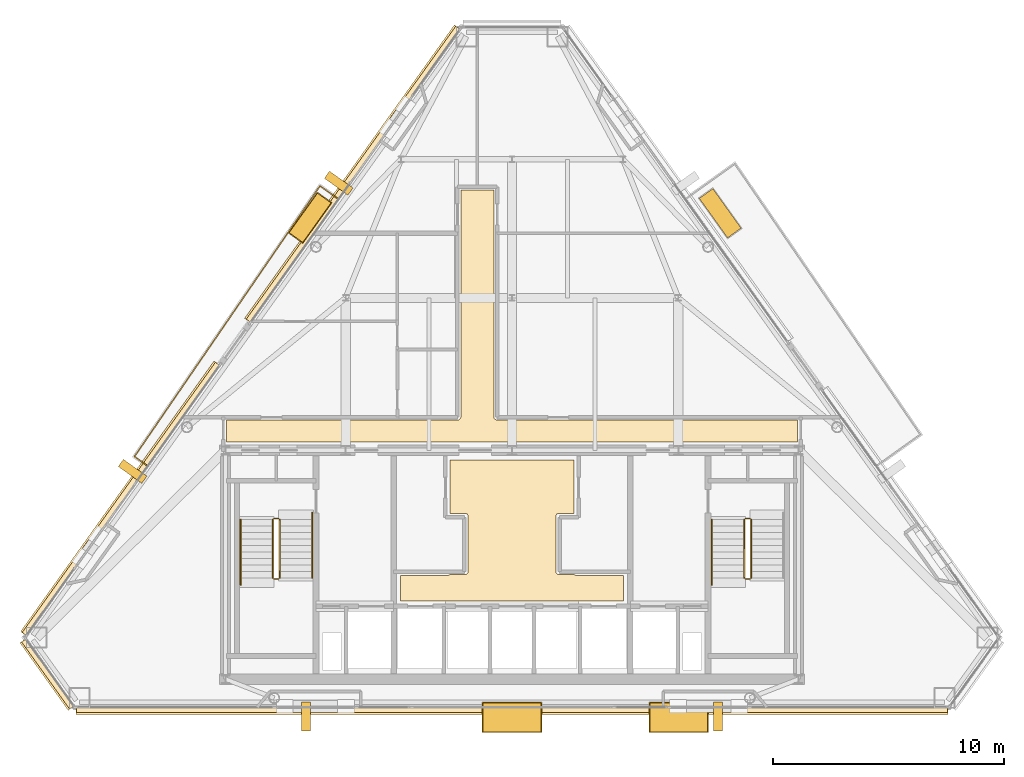
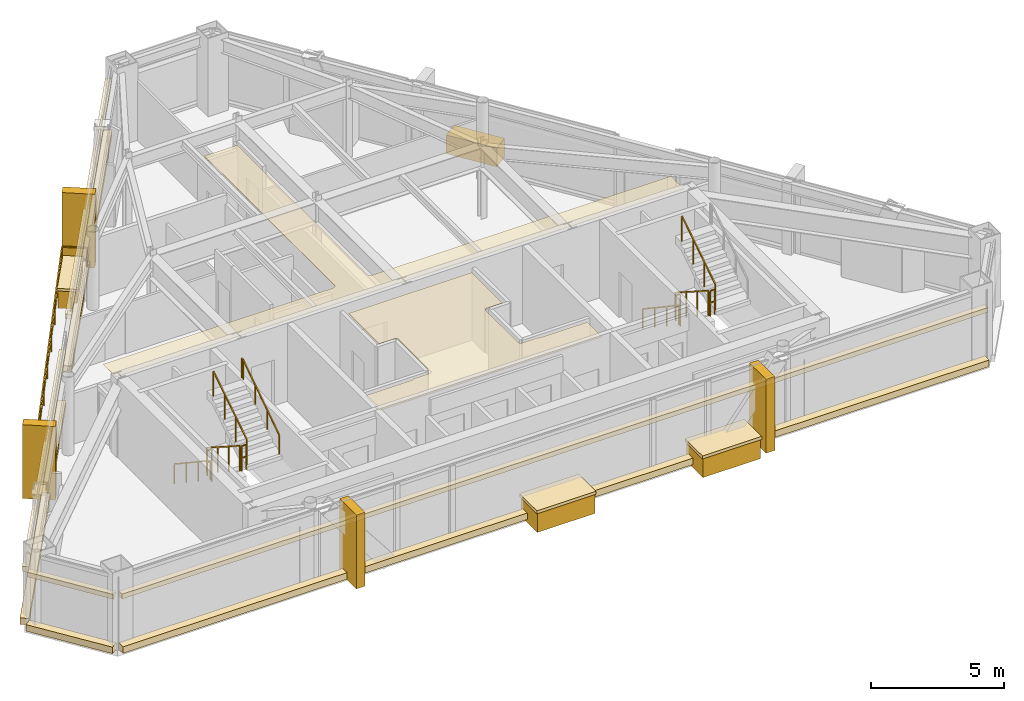
# One storey, part 11 of 12: 21 coverings, 12 railings.
"""IFC4 building model written with IfcOpenShell, lengths in metres."""

from ifc_helpers import new_model, si_unit, direction, frame, origin, origin_2d, place, context, subcontext, project, spatial, polyline, rectangle, outline, extrude, material, layer, layer_set, type_object, element, save


model = new_model("IFC4")

# Units and contexts
model_context = context("Model", 3, precision=1e-05, world=origin(), true_north=direction((0.0, 1.0)))
body_context = subcontext(model_context, "Body", "Model", "MODEL_VIEW")
ifc_project = project(units=[si_unit("LENGTHUNIT", "METRE"), si_unit("AREAUNIT", "SQUARE_METRE"), si_unit("VOLUMEUNIT", "CUBIC_METRE"), si_unit("PLANEANGLEUNIT", "RADIAN"), si_unit("MASSUNIT", "GRAM", prefix="KILO")], contexts=[model_context])

# Site, building, storey
site_placement = place(None, origin())
site = spatial("IfcSite", under=ifc_project, at=site_placement, CompositionType="ELEMENT")
building_placement = place(site_placement, origin())
building = spatial("IfcBuilding", under=site, at=building_placement, Name="Talgorran Terracotta Tower", CompositionType="ELEMENT")
storey_placement = place(building_placement, frame((0.0, 0.0, 270.60009765625)))
storey = spatial("IfcBuildingStorey", under=building, at=storey_placement, Name="L71", CompositionType="ELEMENT", Elevation=270.60009765625)

# Coverings
ifc_material_1 = material(Name="Kiln-Fired Terracotta Ochre Ceramic", Category="masonry")
ifc_layer_1 = layer(ifc_material_1, 0.179931640625, Name="COV_BAGUETTE_TERRACOTTA_SCREEN")
ifc_layer_set_1 = layer_set([ifc_layer_1], Name="Kiln-Fired Terracotta Ochre Ceramic")
covering_type_1 = type_object("IfcCoveringType", Name="COV_BAGUETTE_TERRACOTTA_SCREEN", PredefinedType="CLADDING", material=ifc_layer_set_1)
covering_1_placement = place(storey_placement, frame((-20.07958984375, -13.869384765625, 2.41015625), z_axis=(0.0, 0.0, 1.0), x_axis=(0.58173974083, -0.813374989743, 0.0)))
element("IfcCovering", 1, at=covering_1_placement, inside=storey, type_object=covering_type_1, Name="L71 Terracotta Baguette Solar Screen Assembly F0", PredefinedType="CLADDING", context=body_context, shape_type="SweptSolid", body=[
    extrude(rectangle(XDim=3.5673828125, YDim=0.260009765625, at=origin_2d()), origin(), (0.0, 0.0, 1.0), 0.219970703125),
])
covering_2_placement = place(storey_placement, frame((0.0, -15.4189453125, 2.41015625), z_axis=(0.0, 0.0, 1.0), x_axis=(1.0, 0.0, 0.0)))
element("IfcCovering", 2, at=covering_2_placement, inside=storey, type_object=covering_type_1, Name="L71 Terracotta Baguette Solar Screen Assembly F1", PredefinedType="CLADDING", context=body_context, shape_type="SweptSolid", body=[
    extrude(rectangle(XDim=37.699951171875, YDim=0.260009765625, at=origin_2d()), origin(), (0.0, 0.0, 1.0), 0.219970703125),
])
covering_3_placement = place(storey_placement, frame((-6.861083984375, 7.744873046875, 2.41015625), z_axis=(0.0, 0.0, 1.0), x_axis=(-0.58172554467, -0.813385142893, 0.0)))
element("IfcCovering", 3, at=covering_3_placement, inside=storey, type_object=covering_type_1, Name="L71 Terracotta Baguette Solar Screen Assembly F60", PredefinedType="CLADDING", context=body_context, shape_type="SweptSolid", body=[
    extrude(rectangle(XDim=15.5908203125, YDim=0.260009765625, at=origin_2d()), origin(), (0.0, 0.0, 1.0), 0.219970703125),
])
covering_4_placement = place(storey_placement, frame((-16.913818359375, -6.311279296875, 2.41015625), z_axis=(0.0, 0.0, 1.0), x_axis=(-0.58172554467, -0.813385142893, 0.0)))
element("IfcCovering", 4, at=covering_4_placement, inside=storey, type_object=covering_type_1, Name="L71 Terracotta Baguette Solar Screen Assembly F61", PredefinedType="CLADDING", context=body_context, shape_type="SweptSolid", body=[
    extrude(rectangle(XDim=14.37109375, YDim=0.260009765625, at=origin_2d()), origin(), (0.0, 0.0, 1.0), 0.219970703125),
])
ifc_material_2 = material(Name="Mineral Fibre Acoustic Tile")
ifc_layer_2 = layer(ifc_material_2, 0.02490234375, Name="COV_CEIL_ACOUSTIC")
ifc_layer_set_2 = layer_set([ifc_layer_2], Name="Mineral Fibre Acoustic Tile")
covering_type_2 = type_object("IfcCoveringType", Name="COV_CEIL_ACOUSTIC", PredefinedType="CEILING", material=ifc_layer_set_2)
covering_5_placement = place(storey_placement, frame((0.0, 0.0, 3.2548828125)))
element("IfcCovering", 5, at=covering_5_placement, inside=storey, type_object=covering_type_2, Name="CEIL-L71-2", PredefinedType="CEILING", context=body_context, shape_type="SweptSolid", body=[
    extrude(outline(polyline([(-12.364990234375, -2.885009765625), (-2.35009765625, -2.885009765625), (-2.33837890625, -2.884521484375), (-2.32666015625, -2.8828125), (-2.3154296875, -2.8798828125), (-2.30712890625, -2.87744140625), (-2.2958984375, -2.87353515625), (-2.285400390625, -2.868408203125), (-2.275146484375, -2.8623046875), (-2.265625, -2.85546875), (-2.257080078125, -2.847412109375), (-2.2490234375, -2.8388671875), (-2.243408203125, -2.83203125), (-2.236328125, -2.822509765625), (-2.230224609375, -2.8125), (-2.225341796875, -2.8017578125), (-2.22119140625, -2.79052734375), (-2.218505859375, -2.779296875), (-2.216796875, -2.767578125), (-2.216064453125, -2.755615234375), (-2.215087890625, 7.06494140625), (-0.784912109375, 7.06494140625), (-0.784912109375, -2.75), (-0.784423828125, -2.76171875), (-0.78271484375, -2.773193359375), (-0.77978515625, -2.78466796875), (-0.77734375, -2.79296875), (-0.7734375, -2.803955078125), (-0.768310546875, -2.814697265625), (-0.762451171875, -2.82470703125), (-0.75537109375, -2.834228515625), (-0.74755859375, -2.843017578125), (-0.73876953125, -2.850830078125), (-0.73193359375, -2.8564453125), (-0.722412109375, -2.863525390625), (-0.71240234375, -2.86962890625), (-0.70166015625, -2.874755859375), (-0.690673828125, -2.878662109375), (-0.67919921875, -2.881591796875), (-0.66748046875, -2.88330078125), (-0.65576171875, -2.8837890625), (12.364990234375, -2.885009765625), (12.364990234375, -3.844970703125), (7.432861328125, -3.844970703125), (6.968017578125, -3.843017578125), (6.967529296875, -3.843017578125), (0.232666015625, -3.844970703125), (-0.23193359375, -3.843017578125), (-0.232421875, -3.843017578125), (-6.96728515625, -3.844970703125), (-7.431884765625, -3.843017578125), (-7.4326171875, -3.843017578125), (-12.364990234375, -3.844970703125), (-12.364990234375, -2.885009765625)])), origin(), (0.0, 0.0, 1.0), 0.02001953125),
])
ifc_material_3 = material(Name="Flush Moisture-Resistant Plaster")
ifc_layer_3 = layer(ifc_material_3, 0.01806640625, Name="COV_CEIL_PLASTER")
ifc_layer_set_3 = layer_set([ifc_layer_3], Name="Flush Moisture-Resistant Plaster")
covering_type_3 = type_object("IfcCoveringType", Name="COV_CEIL_PLASTER", PredefinedType="CEILING", material=ifc_layer_set_3)
covering_6_placement = place(storey_placement, frame((0.0, 0.0, 3.2548828125)))
element("IfcCovering", 6, at=covering_6_placement, inside=storey, type_object=covering_type_3, Name="CEIL-L71-1", PredefinedType="CEILING", context=body_context, shape_type="SweptSolid", body=[
    extrude(outline(polyline([(-2.70263671875, -9.570068359375), (-2.02001953125, -9.570068359375), (-2.00830078125, -9.5693359375), (-1.99658203125, -9.567626953125), (-1.985107421875, -9.564697265625), (-1.97412109375, -9.560791015625), (-1.96337890625, -9.555908203125), (-1.953369140625, -9.5498046875), (-1.94384765625, -9.542724609375), (-1.93505859375, -9.534912109375), (-1.92724609375, -9.526123046875), (-1.920166015625, -9.5166015625), (-1.914306640625, -9.506591796875), (-1.9091796875, -9.495849609375), (-1.9052734375, -9.48486328125), (-1.90234375, -9.473388671875), (-1.900634765625, -9.4619140625), (-1.89990234375, -9.449951171875), (-1.89990234375, -7.050048828125), (-1.900634765625, -7.0380859375), (-1.90234375, -7.026611328125), (-1.9052734375, -7.01513671875), (-1.9091796875, -7.004150390625), (-1.914306640625, -6.993408203125), (-1.920166015625, -6.9833984375), (-1.92724609375, -6.973876953125), (-1.93505859375, -6.965087890625), (-1.94384765625, -6.957275390625), (-1.953369140625, -6.9501953125), (-1.96337890625, -6.944091796875), (-1.97412109375, -6.939208984375), (-1.985107421875, -6.935302734375), (-1.99658203125, -6.932373046875), (-2.00830078125, -6.9306640625), (-2.02001953125, -6.929931640625), (-2.679931640625, -6.929931640625), (-2.679931640625, -4.6201171875), (2.679931640625, -4.6201171875), (2.679931640625, -6.929931640625), (2.02001953125, -6.929931640625), (2.00830078125, -6.9306640625), (1.99658203125, -6.932373046875), (1.985107421875, -6.935302734375), (1.97412109375, -6.939208984375), (1.96337890625, -6.944091796875), (1.953369140625, -6.9501953125), (1.94384765625, -6.957275390625), (1.93505859375, -6.965087890625), (1.92724609375, -6.973876953125), (1.920166015625, -6.9833984375), (1.914306640625, -6.993408203125), (1.9091796875, -7.004150390625), (1.9052734375, -7.01513671875), (1.90234375, -7.026611328125), (1.900634765625, -7.0380859375), (1.89990234375, -7.050048828125), (1.89990234375, -9.449951171875), (1.900634765625, -9.4619140625), (1.90234375, -9.473388671875), (1.9052734375, -9.48486328125), (1.9091796875, -9.495849609375), (1.914306640625, -9.506591796875), (1.920166015625, -9.5166015625), (1.92724609375, -9.526123046875), (1.93505859375, -9.534912109375), (1.94384765625, -9.542724609375), (1.953369140625, -9.5498046875), (1.96337890625, -9.555908203125), (1.97412109375, -9.560791015625), (1.985107421875, -9.564697265625), (1.99658203125, -9.567626953125), (2.00830078125, -9.5693359375), (2.02001953125, -9.570068359375), (2.70263671875, -9.570068359375), (2.707275390625, -9.576171875), (2.715087890625, -9.5849609375), (2.723876953125, -9.5927734375), (2.7333984375, -9.599853515625), (2.743408203125, -9.605712890625), (2.754150390625, -9.61083984375), (2.76513671875, -9.61474609375), (2.776611328125, -9.61767578125), (2.7880859375, -9.619384765625), (2.800048828125, -9.6201171875), (4.830078125, -9.6201171875), (4.830078125, -10.72998046875), (-4.830078125, -10.72998046875), (-4.830078125, -9.6201171875), (-2.800048828125, -9.6201171875), (-2.7880859375, -9.619384765625), (-2.776611328125, -9.61767578125), (-2.76513671875, -9.61474609375), (-2.754150390625, -9.61083984375), (-2.743408203125, -9.605712890625), (-2.7333984375, -9.599853515625), (-2.723876953125, -9.5927734375), (-2.715087890625, -9.5849609375), (-2.707275390625, -9.576171875), (-2.70263671875, -9.570068359375)])), origin(), (0.0, 0.0, 1.0), 0.02001953125),
])
ifc_material_4 = material(Name="Honed Limestone and Terracotta Planter", Category="masonry")
ifc_layer_4 = layer(ifc_material_4, 0.1201171875, Name="COV_PLANTER_BOX")
ifc_layer_set_4 = layer_set([ifc_layer_4], Name="Honed Limestone and Terracotta Planter")
covering_type_4 = type_object("IfcCoveringType", Name="COV_PLANTER_BOX", PredefinedType="CLADDING", material=ifc_layer_set_4)
for number, where, z_axis, x_axis, name in (
    (7, (0.0, -15.7587890625, -0.18017578125), (0.0, 0.0, 1.0), (1.0, 0.0, 0.0), "L71 Staggered South Facade Planter Box 1"),
    (8, (7.212890625, -15.7587890625, -0.18017578125), (0.0, 0.0, 1.0), (1.0, 0.0, 0.0), "L71 Staggered South Facade Planter Box 2"),
):
    element("IfcCovering", number, at=place(storey_placement, frame(where, z_axis=z_axis, x_axis=x_axis)), inside=storey, type_object=covering_type_4, Name=name, PredefinedType="CLADDING", context=body_context, shape_type="SweptSolid", body=[
        extrude(rectangle(XDim=2.5, YDim=1.25, at=origin_2d()), origin(), (0.0, 0.0, 1.0), 0.919921875),
    ])
for number, where, z_axis, x_axis, name in (
    (9, (9.010986328125, 6.0625, -0.02001953125), (0.0, 0.0, 1.0), (-0.58172554467, 0.813385142893, 0.0), "L71 Staggered Balcony Planter Box BAL-NE"),
    (10, (-8.73828125, 5.867431640625, -0.02001953125), (0.0, 0.0, 1.0), (-0.58172554467, -0.813385142893, 0.0), "L71 Staggered Balcony Planter Box BAL-NW"),
):
    element("IfcCovering", number, at=place(storey_placement, frame(where, z_axis=z_axis, x_axis=x_axis)), inside=storey, type_object=covering_type_4, Name=name, PredefinedType="CLADDING", context=body_context, shape_type="SweptSolid", body=[
        extrude(rectangle(XDim=2.10009765625, YDim=0.719970703125, at=origin_2d()), origin(), (0.0, 0.0, 1.0), 0.860107421875),
    ])
ifc_material_5 = material(Name="Kiln-Fired Terracotta Planter Rim", Category="masonry")
ifc_layer_5 = layer(ifc_material_5, 0.10009765625, Name="COV_PLANTER_RIM")
ifc_layer_set_5 = layer_set([ifc_layer_5], Name="Kiln-Fired Terracotta Planter Rim")
covering_type_5 = type_object("IfcCoveringType", Name="COV_PLANTER_RIM", PredefinedType="CLADDING", material=ifc_layer_set_5)
for number, where, z_axis, x_axis, name in (
    (11, (0.0, -15.7587890625, 0.7099609375), (0.0, 0.0, 1.0), (1.0, 0.0, 0.0), "L71 South Planter Terracotta Rim 1"),
    (12, (7.212890625, -15.7587890625, 0.7099609375), (0.0, 0.0, 1.0), (1.0, 0.0, 0.0), "L71 South Planter Terracotta Rim 2"),
):
    element("IfcCovering", number, at=place(storey_placement, frame(where, z_axis=z_axis, x_axis=x_axis)), inside=storey, type_object=covering_type_5, Name=name, PredefinedType="CLADDING", context=body_context, shape_type="SweptSolid", body=[
        extrude(rectangle(XDim=2.580078125, YDim=1.320068359375, at=origin_2d()), origin(), (0.0, 0.0, 1.0), 0.139892578125),
    ])
covering_7_placement = place(storey_placement, frame((-8.73828125, 5.867431640625, 0.7998046875), z_axis=(0.0, 0.0, 1.0), x_axis=(-0.58172554467, -0.813385142893, 0.0)))
element("IfcCovering", 13, at=covering_7_placement, inside=storey, type_object=covering_type_5, Name="L71 Balcony Planter Terracotta Rim BAL-NW", PredefinedType="CLADDING", context=body_context, shape_type="SweptSolid", body=[
    extrude(rectangle(XDim=2.179931640625, YDim=0.780029296875, at=origin_2d()), origin(), (0.0, 0.0, 1.0), 0.1201171875),
])
ifc_material_6 = material(Name="Honed Limestone Cladding", Category="masonry")
ifc_layer_6 = layer(ifc_material_6, 0.094970703125, Name="COV_PORTAL_LIME")
ifc_layer_set_6 = layer_set([ifc_layer_6], Name="Honed Limestone Cladding")
covering_type_6 = type_object("IfcCoveringType", Name="COV_PORTAL_LIME", PredefinedType="CLADDING", material=ifc_layer_set_6)
for number, where, z_axis, x_axis, name in (
    (14, (-8.92138671875, -15.718994140625, -0.050048828125), (0.0, 0.0, 1.0), (1.0, 0.0, 0.0), "L71 White Striped Portal Fin F1-1"),
    (15, (-7.50048828125, 7.366455078125, -0.050048828125), (0.0, 0.0, 1.0), (-0.58172554467, -0.813385142893, 0.0), "L71 White Striped Portal Fin F5-1"),
):
    element("IfcCovering", number, at=place(storey_placement, frame(where, z_axis=z_axis, x_axis=x_axis)), inside=storey, type_object=covering_type_6, Name=name, PredefinedType="CLADDING", context=body_context, shape_type="SweptSolid", body=[
        extrude(rectangle(XDim=0.3798828125, YDim=1.25, at=origin_2d()), origin(), (0.0, 0.0, 1.0), 3.39501953125),
    ])
ifc_material_7 = material(Name="Kiln-Fired Terracotta Cladding", Category="masonry")
ifc_layer_7 = layer(ifc_material_7, 0.090087890625, Name="COV_PORTAL_TERRA")
ifc_layer_set_7 = layer_set([ifc_layer_7], Name="Kiln-Fired Terracotta Cladding")
covering_type_7 = type_object("IfcCoveringType", Name="COV_PORTAL_TERRA", PredefinedType="CLADDING", material=ifc_layer_set_7)
covering_8_placement = place(storey_placement, frame((-20.1123046875, -13.892578125, -0.0400390625), z_axis=(0.0, 0.0, 1.0), x_axis=(0.58173974083, -0.813374989743, 0.0)))
element("IfcCovering", 16, at=covering_8_placement, inside=storey, type_object=covering_type_7, Name="L71 Striped Postmodern Portal Cladding Band F0", PredefinedType="CLADDING", context=body_context, shape_type="SweptSolid", body=[
    extrude(rectangle(XDim=3.58740234375, YDim=0.340087890625, at=origin_2d()), origin(), (0.0, 0.0, 1.0), 0.300048828125),
])
covering_9_placement = place(storey_placement, frame((0.0, -15.458984375, -0.0400390625), z_axis=(0.0, 0.0, 1.0), x_axis=(1.0, 0.0, 0.0)))
element("IfcCovering", 17, at=covering_9_placement, inside=storey, type_object=covering_type_7, Name="L71 Striped Postmodern Portal Cladding Band F1", PredefinedType="CLADDING", context=body_context, shape_type="SweptSolid", body=[
    extrude(rectangle(XDim=37.719970703125, YDim=0.340087890625, at=origin_2d()), origin(), (0.0, 0.0, 1.0), 0.300048828125),
])
covering_10_placement = place(storey_placement, frame((-6.8935546875, 7.76806640625, -0.0400390625), z_axis=(0.0, 0.0, 1.0), x_axis=(-0.58172554467, -0.813385142893, 0.0)))
element("IfcCovering", 18, at=covering_10_placement, inside=storey, type_object=covering_type_7, Name="L71 Striped Postmodern Portal Cladding Band F60", PredefinedType="CLADDING", context=body_context, shape_type="SweptSolid", body=[
    extrude(rectangle(XDim=15.61083984375, YDim=0.340087890625, at=origin_2d()), origin(), (0.0, 0.0, 1.0), 0.300048828125),
])
covering_11_placement = place(storey_placement, frame((-16.946533203125, -6.2880859375, -0.0400390625), z_axis=(0.0, 0.0, 1.0), x_axis=(-0.58172554467, -0.813385142893, 0.0)))
element("IfcCovering", 19, at=covering_11_placement, inside=storey, type_object=covering_type_7, Name="L71 Striped Postmodern Portal Cladding Band F61", PredefinedType="CLADDING", context=body_context, shape_type="SweptSolid", body=[
    extrude(rectangle(XDim=14.39111328125, YDim=0.340087890625, at=origin_2d()), origin(), (0.0, 0.0, 1.0), 0.300048828125),
])
for number, where, z_axis, x_axis, name in (
    (20, (8.92138671875, -15.718994140625, -0.050048828125), (0.0, 0.0, 1.0), (1.0, 0.0, 0.0), "L71 Terracotta Striped Portal Fin F1-2"),
    (21, (-16.421875, -5.107421875, -0.050048828125), (0.0, 0.0, 1.0), (-0.58172554467, -0.813385142893, 0.0), "L71 Terracotta Striped Portal Fin F5-2"),
):
    element("IfcCovering", number, at=place(storey_placement, frame(where, z_axis=z_axis, x_axis=x_axis)), inside=storey, type_object=covering_type_7, Name=name, PredefinedType="CLADDING", context=body_context, shape_type="SweptSolid", body=[
        extrude(rectangle(XDim=0.3798828125, YDim=1.25, at=origin_2d()), origin(), (0.0, 0.0, 1.0), 3.39501953125),
    ])

# Railings
ifc_material_8 = material(Name="Laminated Glass and Stainless Steel 316", Category="steel")
railing_type_1 = type_object("IfcRailingType", Name="RL_BALCONY_1150", PredefinedType="BALUSTRADE", material=ifc_material_8)
railing_1_placement = place(storey_placement, frame((-7.522705078125, 6.682373046875, 0.0)))
element("IfcRailing", 22, at=railing_1_placement, inside=storey, type_object=railing_type_1, Name="RL-L71-BAL-BAL-NW", PredefinedType="BALUSTRADE", context=body_context, shape_type="SweptSolid", body=[
    extrude(rectangle(XDim=0.048095703125, YDim=0.048095703125, at=origin_2d()), frame((0.0, 0.0, 1.1259765625), z_axis=(-0.813477663351, 0.581596158196, 0.0), x_axis=(-0.581596158196, -0.813477663351, 0.0)), (0.0, 0.0, 1.0), 0.967529296875),
    extrude(rectangle(XDim=0.048095703125, YDim=0.048095703125, at=origin_2d()), frame((0.0, 0.0, 0.597900390625), z_axis=(-0.813477663351, 0.581596158196, 0.0), x_axis=(-0.581596158196, -0.813477663351, 0.0)), (0.0, 0.0, 1.0), 0.967529296875),
    extrude(rectangle(XDim=0.048095703125, YDim=0.048095703125, at=origin_2d()), frame((-0.787109375, 0.562744140625, 1.1259765625), z_axis=(-0.565410400572, -0.82480972286, 0.0), x_axis=(0.82480972286, -0.565410400572, 0.0)), (0.0, 0.0, 1.0), 14.199462890625),
    extrude(rectangle(XDim=0.048095703125, YDim=0.048095703125, at=origin_2d()), frame((-0.787109375, 0.562744140625, 0.597900390625), z_axis=(-0.565410400572, -0.82480972286, 0.0), x_axis=(0.82480972286, -0.565410400572, 0.0)), (0.0, 0.0, 1.0), 14.199462890625),
    extrude(rectangle(XDim=0.048095703125, YDim=0.048095703125, at=origin_2d()), frame((-8.815673828125, -11.149169921875, 1.1259765625), z_axis=(0.813275494252, -0.581878827978, 0.0), x_axis=(0.581878827978, 0.813275494252, 0.0)), (0.0, 0.0, 1.0), 0.684814453125),
    extrude(rectangle(XDim=0.048095703125, YDim=0.048095703125, at=origin_2d()), frame((-8.815673828125, -11.149169921875, 0.597900390625), z_axis=(0.813275494252, -0.581878827978, 0.0), x_axis=(0.581878827978, 0.813275494252, 0.0)), (0.0, 0.0, 1.0), 0.684814453125),
    extrude(rectangle(XDim=0.0419921875, YDim=0.0419921875, at=origin_2d()), origin(), (0.0, 0.0, 1.0), 1.101806640625),
    extrude(rectangle(XDim=0.0419921875, YDim=0.0419921875, at=origin_2d()), frame((-0.787109375, 0.562744140625, 0.0)), (0.0, 0.0, 1.0), 1.101806640625),
    extrude(rectangle(XDim=0.0419921875, YDim=0.0419921875, at=origin_2d()), frame((-1.790771484375, -0.9013671875, 0.0)), (0.0, 0.0, 1.0), 1.101806640625),
    extrude(rectangle(XDim=0.0419921875, YDim=0.0419921875, at=origin_2d()), frame((-2.794189453125, -2.365234375, 0.0)), (0.0, 0.0, 1.0), 1.101806640625),
    extrude(rectangle(XDim=0.0419921875, YDim=0.0419921875, at=origin_2d()), frame((-3.7978515625, -3.8291015625, 0.0)), (0.0, 0.0, 1.0), 1.101806640625),
    extrude(rectangle(XDim=0.0419921875, YDim=0.0419921875, at=origin_2d()), frame((-4.80126953125, -5.293212890625, 0.0)), (0.0, 0.0, 1.0), 1.101806640625),
    extrude(rectangle(XDim=0.0419921875, YDim=0.0419921875, at=origin_2d()), frame((-5.804931640625, -6.75732421875, 0.0)), (0.0, 0.0, 1.0), 1.101806640625),
    extrude(rectangle(XDim=0.0419921875, YDim=0.0419921875, at=origin_2d()), frame((-6.80859375, -8.22119140625, 0.0)), (0.0, 0.0, 1.0), 1.101806640625),
    extrude(rectangle(XDim=0.0419921875, YDim=0.0419921875, at=origin_2d()), frame((-7.81201171875, -9.68505859375, 0.0)), (0.0, 0.0, 1.0), 1.101806640625),
    extrude(rectangle(XDim=0.0419921875, YDim=0.0419921875, at=origin_2d()), frame((-8.815673828125, -11.149169921875, 0.0)), (0.0, 0.0, 1.0), 1.101806640625),
    extrude(rectangle(XDim=0.0419921875, YDim=0.0419921875, at=origin_2d()), frame((-8.2587890625, -11.547607421875, 0.0)), (0.0, 0.0, 1.0), 1.101806640625),
])
ifc_material_9 = material(Name="Steel S355 (300PLUS)", Category="steel")
railing_type_2 = type_object("IfcRailingType", Name="RL_HANDRAIL_920", PredefinedType="HANDRAIL", material=ifc_material_9)
railing_2_placement = place(storey_placement, frame((-11.75, -7.199951171875, 0.179931640625)))
element("IfcRailing", 23, at=railing_2_placement, inside=storey, type_object=railing_type_2, Name="L71 ST-01 stair handrail 1", PredefinedType="HANDRAIL", context=body_context, shape_type="SweptSolid", body=[
    extrude(rectangle(XDim=0.048095703125, YDim=0.048095703125, at=origin_2d()), frame((0.0, 0.0, 0.89599609375), z_axis=(0.0, -0.832038719335, 0.554717558338), x_axis=(1.0, 0.0, 0.0)), (0.0, 0.0, 1.0), 3.244873046875),
    extrude(rectangle(XDim=0.048095703125, YDim=0.048095703125, at=origin_2d()), frame((0.0, -2.699951171875, 2.69580078125), z_axis=(0.0, -1.0, 0.0), x_axis=(1.0, 0.0, 0.0)), (0.0, 0.0, 1.0), 0.1201171875),
    extrude(rectangle(XDim=0.0419921875, YDim=0.0419921875, at=origin_2d()), origin(), (0.0, 0.0, 1.0), 0.871826171875),
    extrude(rectangle(XDim=0.0419921875, YDim=0.0419921875, at=origin_2d()), frame((0.0, -0.89990234375, 0.60009765625)), (0.0, 0.0, 1.0), 0.871826171875),
    extrude(rectangle(XDim=0.0419921875, YDim=0.0419921875, at=origin_2d()), frame((0.0, -1.800048828125, 1.199951171875)), (0.0, 0.0, 1.0), 0.871826171875),
    extrude(rectangle(XDim=0.0419921875, YDim=0.0419921875, at=origin_2d()), frame((0.0, -2.699951171875, 1.800048828125)), (0.0, 0.0, 1.0), 0.871826171875),
    extrude(rectangle(XDim=0.0419921875, YDim=0.0419921875, at=origin_2d()), frame((0.0, -2.820068359375, 1.800048828125)), (0.0, 0.0, 1.0), 0.871826171875),
])
railing_3_placement = place(storey_placement, frame((-8.64990234375, -9.719970703125, 1.97998046875)))
element("IfcRailing", 24, at=railing_3_placement, inside=storey, type_object=railing_type_2, Name="L71 ST-01 stair handrail 2", PredefinedType="HANDRAIL", context=body_context, shape_type="SweptSolid", body=[
    extrude(rectangle(XDim=0.048095703125, YDim=0.048095703125, at=origin_2d()), frame((0.0, 0.0, 0.89599609375), z_axis=(0.0, 0.832073444223, 0.554665469827), x_axis=(-1.0, 0.0, 0.0)), (0.0, 0.0, 1.0), 3.244873046875),
    extrude(rectangle(XDim=0.048095703125, YDim=0.048095703125, at=origin_2d()), frame((0.0, 2.699951171875, 2.69580078125), z_axis=(0.0, 1.0, 0.0), x_axis=(-1.0, 0.0, 0.0)), (0.0, 0.0, 1.0), 0.1201171875),
    extrude(rectangle(XDim=0.0419921875, YDim=0.0419921875, at=origin_2d()), origin(), (0.0, 0.0, 1.0), 0.871826171875),
    extrude(rectangle(XDim=0.0419921875, YDim=0.0419921875, at=origin_2d()), frame((0.0, 0.89990234375, 0.599853515625)), (0.0, 0.0, 1.0), 0.871826171875),
    extrude(rectangle(XDim=0.0419921875, YDim=0.0419921875, at=origin_2d()), frame((0.0, 1.800048828125, 1.199951171875)), (0.0, 0.0, 1.0), 0.871826171875),
    extrude(rectangle(XDim=0.0419921875, YDim=0.0419921875, at=origin_2d()), frame((0.0, 2.699951171875, 1.7998046875)), (0.0, 0.0, 1.0), 0.871826171875),
    extrude(rectangle(XDim=0.0419921875, YDim=0.0419921875, at=origin_2d()), frame((0.0, 2.820068359375, 1.7998046875)), (0.0, 0.0, 1.0), 0.871826171875),
])
railing_4_placement = place(storey_placement, frame((8.64990234375, -7.199951171875, 0.179931640625)))
element("IfcRailing", 25, at=railing_4_placement, inside=storey, type_object=railing_type_2, Name="L71 ST-02 stair handrail 1", PredefinedType="HANDRAIL", context=body_context, shape_type="SweptSolid", body=[
    extrude(rectangle(XDim=0.048095703125, YDim=0.048095703125, at=origin_2d()), frame((0.0, 0.0, 0.89599609375), z_axis=(0.0, -0.832038719335, 0.554717558338), x_axis=(1.0, 0.0, 0.0)), (0.0, 0.0, 1.0), 3.244873046875),
    extrude(rectangle(XDim=0.048095703125, YDim=0.048095703125, at=origin_2d()), frame((0.0, -2.699951171875, 2.69580078125), z_axis=(0.0, -1.0, 0.0), x_axis=(1.0, 0.0, 0.0)), (0.0, 0.0, 1.0), 0.1201171875),
    extrude(rectangle(XDim=0.0419921875, YDim=0.0419921875, at=origin_2d()), origin(), (0.0, 0.0, 1.0), 0.871826171875),
    extrude(rectangle(XDim=0.0419921875, YDim=0.0419921875, at=origin_2d()), frame((0.0, -0.89990234375, 0.60009765625)), (0.0, 0.0, 1.0), 0.871826171875),
    extrude(rectangle(XDim=0.0419921875, YDim=0.0419921875, at=origin_2d()), frame((0.0, -1.800048828125, 1.199951171875)), (0.0, 0.0, 1.0), 0.871826171875),
    extrude(rectangle(XDim=0.0419921875, YDim=0.0419921875, at=origin_2d()), frame((0.0, -2.699951171875, 1.800048828125)), (0.0, 0.0, 1.0), 0.871826171875),
    extrude(rectangle(XDim=0.0419921875, YDim=0.0419921875, at=origin_2d()), frame((0.0, -2.820068359375, 1.800048828125)), (0.0, 0.0, 1.0), 0.871826171875),
])
railing_type_3 = type_object("IfcRailingType", Name="RL_STAIR_GUARD", PredefinedType="GUARDRAIL", material=ifc_material_9)
railing_5_placement = place(storey_placement, frame((-10.35009765625, -7.199951171875, 0.179931640625)))
element("IfcRailing", 26, at=railing_5_placement, inside=storey, type_object=railing_type_3, Name="L71 ST-01 stair guard 1", PredefinedType="GUARDRAIL", context=body_context, shape_type="SweptSolid", body=[
    extrude(rectangle(XDim=0.048095703125, YDim=0.048095703125, at=origin_2d()), frame((0.0, 0.0, 1.15576171875), z_axis=(0.0, -0.841199657755, 0.540724639528), x_axis=(1.0, 0.0, 0.0)), (0.0, 0.0, 1.0), 2.995849609375),
    extrude(rectangle(XDim=0.0419921875, YDim=0.0419921875, at=origin_2d()), origin(), (0.0, 0.0, 1.0), 1.1318359375),
    extrude(rectangle(XDim=0.0419921875, YDim=0.0419921875, at=origin_2d()), frame((0.0, -0.840087890625, 0.5400390625)), (0.0, 0.0, 1.0), 1.1318359375),
    extrude(rectangle(XDim=0.0419921875, YDim=0.0419921875, at=origin_2d()), frame((0.0, -1.679931640625, 1.079833984375)), (0.0, 0.0, 1.0), 1.1318359375),
    extrude(rectangle(XDim=0.0419921875, YDim=0.0419921875, at=origin_2d()), frame((0.0, -2.52001953125, 1.619873046875)), (0.0, 0.0, 1.0), 1.1318359375),
])
railing_6_placement = place(storey_placement, frame((-10.300048828125, -9.77001953125, 1.7998046875)))
element("IfcRailing", 27, at=railing_6_placement, inside=storey, type_object=railing_type_3, Name="L71 ST-01 stair guard 2", PredefinedType="GUARDRAIL", context=body_context, shape_type="SweptSolid", body=[
    extrude(rectangle(XDim=0.048095703125, YDim=0.048095703125, at=origin_2d()), frame((0.0, 0.0, 1.15576171875), z_axis=(1.0, 0.0, 0.0), x_axis=(0.0, 1.0, 0.0)), (0.0, 0.0, 1.0), 0.199951171875),
    extrude(rectangle(XDim=0.048095703125, YDim=0.048095703125, at=origin_2d()), frame((0.0, 0.0, 0.613525390625), z_axis=(1.0, 0.0, 0.0), x_axis=(0.0, 1.0, 0.0)), (0.0, 0.0, 1.0), 0.199951171875),
    extrude(rectangle(XDim=0.0419921875, YDim=0.0419921875, at=origin_2d()), origin(), (0.0, 0.0, 1.0), 1.1318359375),
    extrude(rectangle(XDim=0.0419921875, YDim=0.0419921875, at=origin_2d()), frame((0.199951171875, 0.0, 0.0)), (0.0, 0.0, 1.0), 1.1318359375),
])
railing_7_placement = place(storey_placement, frame((-10.050048828125, -9.719970703125, 1.97998046875)))
element("IfcRailing", 28, at=railing_7_placement, inside=storey, type_object=railing_type_3, Name="L71 ST-01 stair guard 3", PredefinedType="GUARDRAIL", context=body_context, shape_type="SweptSolid", body=[
    extrude(rectangle(XDim=0.048095703125, YDim=0.048095703125, at=origin_2d()), frame((0.0, 0.0, 1.15576171875), z_axis=(0.0, 0.841199657755, 0.540724639528), x_axis=(-1.0, 0.0, 0.0)), (0.0, 0.0, 1.0), 2.995849609375),
    extrude(rectangle(XDim=0.0419921875, YDim=0.0419921875, at=origin_2d()), origin(), (0.0, 0.0, 1.0), 1.1318359375),
    extrude(rectangle(XDim=0.0419921875, YDim=0.0419921875, at=origin_2d()), frame((0.0, 0.840087890625, 0.5400390625)), (0.0, 0.0, 1.0), 1.1318359375),
    extrude(rectangle(XDim=0.0419921875, YDim=0.0419921875, at=origin_2d()), frame((0.0, 1.679931640625, 1.079833984375)), (0.0, 0.0, 1.0), 1.1318359375),
    extrude(rectangle(XDim=0.0419921875, YDim=0.0419921875, at=origin_2d()), frame((0.0, 2.52001953125, 1.619873046875)), (0.0, 0.0, 1.0), 1.1318359375),
])
railing_8_placement = place(storey_placement, frame((-10.300048828125, -7.14990234375, 0.0)))
element("IfcRailing", 29, at=railing_8_placement, inside=storey, type_object=railing_type_3, Name="L71 ST-01 stair guard 4", PredefinedType="GUARDRAIL", context=body_context, shape_type="SweptSolid", body=[
    extrude(rectangle(XDim=0.048095703125, YDim=0.048095703125, at=origin_2d()), frame((0.0, 0.0, 1.15576171875), z_axis=(1.0, 0.0, 0.0), x_axis=(0.0, 1.0, 0.0)), (0.0, 0.0, 1.0), 0.199951171875),
    extrude(rectangle(XDim=0.048095703125, YDim=0.048095703125, at=origin_2d()), frame((0.0, 0.0, 0.613525390625), z_axis=(1.0, 0.0, 0.0), x_axis=(0.0, 1.0, 0.0)), (0.0, 0.0, 1.0), 0.199951171875),
    extrude(rectangle(XDim=0.0419921875, YDim=0.0419921875, at=origin_2d()), origin(), (0.0, 0.0, 1.0), 1.1318359375),
    extrude(rectangle(XDim=0.0419921875, YDim=0.0419921875, at=origin_2d()), frame((0.199951171875, 0.0, 0.0)), (0.0, 0.0, 1.0), 1.1318359375),
])
railing_9_placement = place(storey_placement, frame((10.050048828125, -7.199951171875, 0.179931640625)))
element("IfcRailing", 30, at=railing_9_placement, inside=storey, type_object=railing_type_3, Name="L71 ST-02 stair guard 1", PredefinedType="GUARDRAIL", context=body_context, shape_type="SweptSolid", body=[
    extrude(rectangle(XDim=0.048095703125, YDim=0.048095703125, at=origin_2d()), frame((0.0, 0.0, 1.15576171875), z_axis=(0.0, -0.841199657755, 0.540724639528), x_axis=(1.0, 0.0, 0.0)), (0.0, 0.0, 1.0), 2.995849609375),
    extrude(rectangle(XDim=0.0419921875, YDim=0.0419921875, at=origin_2d()), origin(), (0.0, 0.0, 1.0), 1.1318359375),
    extrude(rectangle(XDim=0.0419921875, YDim=0.0419921875, at=origin_2d()), frame((0.0, -0.840087890625, 0.5400390625)), (0.0, 0.0, 1.0), 1.1318359375),
    extrude(rectangle(XDim=0.0419921875, YDim=0.0419921875, at=origin_2d()), frame((0.0, -1.679931640625, 1.079833984375)), (0.0, 0.0, 1.0), 1.1318359375),
    extrude(rectangle(XDim=0.0419921875, YDim=0.0419921875, at=origin_2d()), frame((0.0, -2.52001953125, 1.619873046875)), (0.0, 0.0, 1.0), 1.1318359375),
])
railing_10_placement = place(storey_placement, frame((10.10009765625, -9.77001953125, 1.7998046875)))
element("IfcRailing", 31, at=railing_10_placement, inside=storey, type_object=railing_type_3, Name="L71 ST-02 stair guard 2", PredefinedType="GUARDRAIL", context=body_context, shape_type="SweptSolid", body=[
    extrude(rectangle(XDim=0.048095703125, YDim=0.048095703125, at=origin_2d()), frame((0.0, 0.0, 1.15576171875), z_axis=(1.0, 0.0, 0.0), x_axis=(0.0, 1.0, 0.0)), (0.0, 0.0, 1.0), 0.199951171875),
    extrude(rectangle(XDim=0.048095703125, YDim=0.048095703125, at=origin_2d()), frame((0.0, 0.0, 0.613525390625), z_axis=(1.0, 0.0, 0.0), x_axis=(0.0, 1.0, 0.0)), (0.0, 0.0, 1.0), 0.199951171875),
    extrude(rectangle(XDim=0.0419921875, YDim=0.0419921875, at=origin_2d()), origin(), (0.0, 0.0, 1.0), 1.1318359375),
    extrude(rectangle(XDim=0.0419921875, YDim=0.0419921875, at=origin_2d()), frame((0.199951171875, 0.0, 0.0)), (0.0, 0.0, 1.0), 1.1318359375),
])
railing_11_placement = place(storey_placement, frame((10.35009765625, -9.719970703125, 1.97998046875)))
element("IfcRailing", 32, at=railing_11_placement, inside=storey, type_object=railing_type_3, Name="L71 ST-02 stair guard 3", PredefinedType="GUARDRAIL", context=body_context, shape_type="SweptSolid", body=[
    extrude(rectangle(XDim=0.048095703125, YDim=0.048095703125, at=origin_2d()), frame((0.0, 0.0, 1.15576171875), z_axis=(0.0, 0.841199657755, 0.540724639528), x_axis=(-1.0, 0.0, 0.0)), (0.0, 0.0, 1.0), 2.995849609375),
    extrude(rectangle(XDim=0.0419921875, YDim=0.0419921875, at=origin_2d()), origin(), (0.0, 0.0, 1.0), 1.1318359375),
    extrude(rectangle(XDim=0.0419921875, YDim=0.0419921875, at=origin_2d()), frame((0.0, 0.840087890625, 0.5400390625)), (0.0, 0.0, 1.0), 1.1318359375),
    extrude(rectangle(XDim=0.0419921875, YDim=0.0419921875, at=origin_2d()), frame((0.0, 1.679931640625, 1.079833984375)), (0.0, 0.0, 1.0), 1.1318359375),
    extrude(rectangle(XDim=0.0419921875, YDim=0.0419921875, at=origin_2d()), frame((0.0, 2.52001953125, 1.619873046875)), (0.0, 0.0, 1.0), 1.1318359375),
])
railing_12_placement = place(storey_placement, frame((10.10009765625, -7.14990234375, 0.0)))
element("IfcRailing", 33, at=railing_12_placement, inside=storey, type_object=railing_type_3, Name="L71 ST-02 stair guard 4", PredefinedType="GUARDRAIL", context=body_context, shape_type="SweptSolid", body=[
    extrude(rectangle(XDim=0.048095703125, YDim=0.048095703125, at=origin_2d()), frame((0.0, 0.0, 1.15576171875), z_axis=(1.0, 0.0, 0.0), x_axis=(0.0, 1.0, 0.0)), (0.0, 0.0, 1.0), 0.199951171875),
    extrude(rectangle(XDim=0.048095703125, YDim=0.048095703125, at=origin_2d()), frame((0.0, 0.0, 0.613525390625), z_axis=(1.0, 0.0, 0.0), x_axis=(0.0, 1.0, 0.0)), (0.0, 0.0, 1.0), 0.199951171875),
    extrude(rectangle(XDim=0.0419921875, YDim=0.0419921875, at=origin_2d()), origin(), (0.0, 0.0, 1.0), 1.1318359375),
    extrude(rectangle(XDim=0.0419921875, YDim=0.0419921875, at=origin_2d()), frame((0.199951171875, 0.0, 0.0)), (0.0, 0.0, 1.0), 1.1318359375),
])

save(model, "model.ifc")
